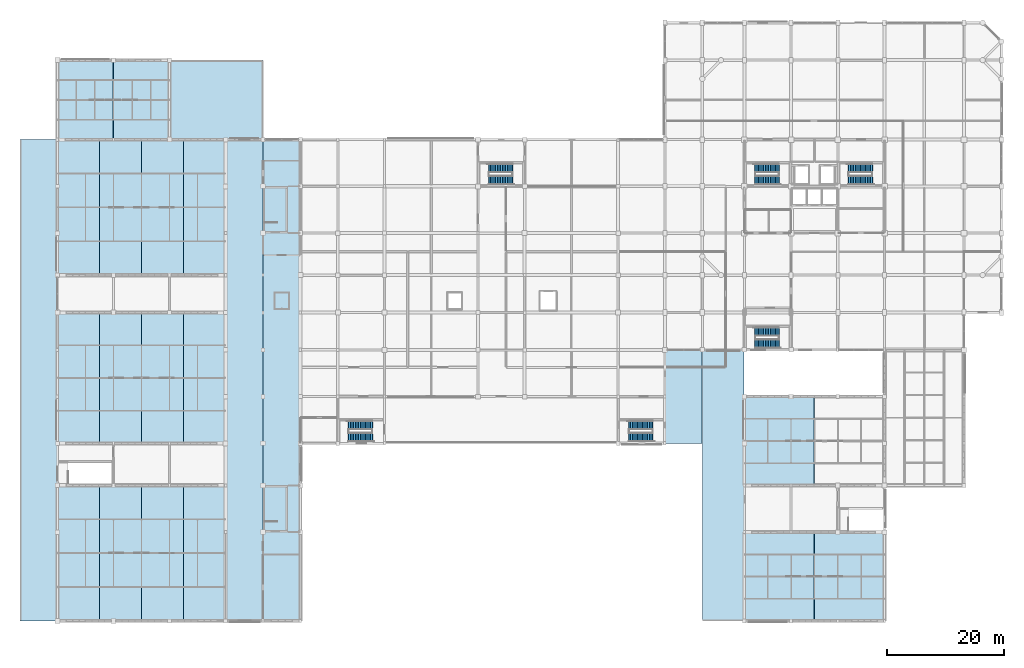
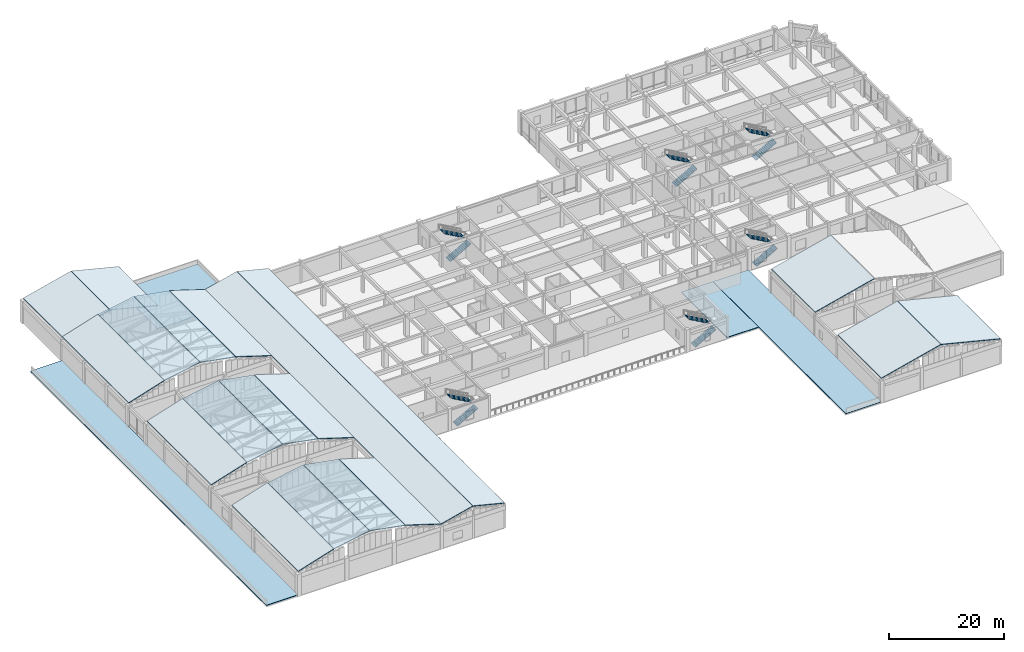
# One storey, part 56 of 61: 23 roofs, 12 stair flights, 6 elements without a shape of their own.
"""IFC4 building model written with IfcOpenShell, lengths in metres."""

from ifc_helpers import new_model, si_unit, direction, frame, origin, place, context, subcontext, project, spatial, polyline, outline, extrude, material, layer, layer_set, type_object, element, aggregate, save


model = new_model("IFC4")

# Units and contexts
model_context = context("Model", 3, precision=1e-05, world=origin(), true_north=direction((0.0, 1.0)))
body_context = subcontext(model_context, "Body", "Model", "MODEL_VIEW")
ifc_project = project(units=[si_unit("LENGTHUNIT", "METRE"), si_unit("AREAUNIT", "SQUARE_METRE"), si_unit("VOLUMEUNIT", "CUBIC_METRE"), si_unit("PLANEANGLEUNIT", "RADIAN"), si_unit("MASSUNIT", "GRAM", prefix="KILO")], contexts=[model_context])

# Site, building, storey
site_placement = place(None, origin())
site = spatial("IfcSite", under=ifc_project, at=site_placement, CompositionType="ELEMENT")
building_placement = place(site_placement, origin())
building = spatial("IfcBuilding", under=site, at=building_placement, Name="Vellmiral Cinema and Media Centre", CompositionType="ELEMENT")
storey_placement = place(building_placement, frame((0.0, 0.0, 10.800048828125)))
storey = spatial("IfcBuildingStorey", under=building, at=storey_placement, Name="L02", CompositionType="ELEMENT", Elevation=10.800048828125)

# Stair, stair flights
ifc_material_1 = material(Name="Concrete C40/50", Category="concrete")
stair_type = type_object("IfcStairType", Name="ST-2RET-480", PredefinedType="HALF_TURN_STAIR", material=ifc_material_1)
stair_1_placement = place(storey_placement, origin())
stair_1 = element("IfcStair", 1, at=stair_1_placement, inside=storey, type_object=stair_type, Name="Protected Escape Stair ST-P3 (L02)", PredefinedType="HALF_TURN_STAIR")
ifc_material_2 = material(Name="Concrete C40/50", Category="concrete")
stair_flight_type = type_object("IfcStairFlightType", Name="STF-STR-480", PredefinedType="STRAIGHT", material=ifc_material_2)
stair_flight_1_placement = place(storey_placement, frame((56.25, 44.25, 0.0), z_axis=(0.0, 0.0, 1.0), x_axis=(1.0, 0.0, 0.0)))
stair_flight_1 = element("IfcStairFlight", 2, at=stair_flight_1_placement, type_object=stair_flight_type, Name="ST-P3 flight 1", NumberOfRisers=15, NumberOfTreads=14, PredefinedType="STRAIGHT", RiserHeight=0.16, TreadLength=0.29, context=body_context, shape_type="SweptSolid", body=[
    extrude(outline(polyline([(-0.080078125, 0.0), (-0.080078125, 0.095947265625), (0.0, 0.159912109375), (0.2900390625, 0.159912109375), (0.2900390625, 0.320068359375), (0.580078125, 0.320068359375), (0.580078125, 0.47998046875), (0.8701171875, 0.47998046875), (0.8701171875, 0.639892578125), (1.159912109375, 0.639892578125), (1.159912109375, 0.800048828125), (1.449951171875, 0.800048828125), (1.449951171875, 0.9599609375), (1.739990234375, 0.9599609375), (1.739990234375, 1.1201171875), (2.030029296875, 1.1201171875), (2.030029296875, 1.280029296875), (2.320068359375, 1.280029296875), (2.320068359375, 1.43994140625), (2.610107421875, 1.43994140625), (2.610107421875, 1.60009765625), (2.89990234375, 1.60009765625), (2.89990234375, 1.760009765625), (3.18994140625, 1.760009765625), (3.18994140625, 1.919921875), (3.47998046875, 1.919921875), (3.47998046875, 2.080078125), (3.77001953125, 2.080078125), (3.77001953125, 2.239990234375), (4.06005859375, 2.239990234375), (4.06005859375, 2.39990234375), (4.14013671875, 2.39990234375), (4.14013671875, 2.239990234375), (0.179931640625, 0.0), (-0.080078125, 0.0)])), frame((0.0, 0.75, 0.0), z_axis=(0.0, -1.0, 0.0), x_axis=(1.0, 0.0, 0.0)), (0.0, 0.0, 1.0), 1.5),
])
stair_flight_2_placement = place(storey_placement, frame((60.31005859375, 46.35009765625, 2.39990234375), z_axis=(0.0, 0.0, 1.0), x_axis=(-1.0, 0.0, 0.0)))
stair_flight_2 = element("IfcStairFlight", 3, at=stair_flight_2_placement, type_object=stair_flight_type, Name="ST-P3 flight 2", NumberOfRisers=15, NumberOfTreads=14, PredefinedType="STRAIGHT", RiserHeight=0.16, TreadLength=0.29, context=body_context, shape_type="SweptSolid", body=[
    extrude(outline(polyline([(-0.080078125, 0.0), (-0.080078125, 0.095947265625), (0.0, 0.159912109375), (0.2900390625, 0.159912109375), (0.2900390625, 0.320068359375), (0.580078125, 0.320068359375), (0.580078125, 0.47998046875), (0.8701171875, 0.47998046875), (0.8701171875, 0.639892578125), (1.159912109375, 0.639892578125), (1.159912109375, 0.800048828125), (1.449951171875, 0.800048828125), (1.449951171875, 0.9599609375), (1.739990234375, 0.9599609375), (1.739990234375, 1.1201171875), (2.030029296875, 1.1201171875), (2.030029296875, 1.280029296875), (2.320068359375, 1.280029296875), (2.320068359375, 1.43994140625), (2.610107421875, 1.43994140625), (2.610107421875, 1.60009765625), (2.89990234375, 1.60009765625), (2.89990234375, 1.760009765625), (3.18994140625, 1.760009765625), (3.18994140625, 1.919921875), (3.47998046875, 1.919921875), (3.47998046875, 2.080078125), (3.77001953125, 2.080078125), (3.77001953125, 2.239990234375), (4.06005859375, 2.239990234375), (4.06005859375, 2.39990234375), (4.14013671875, 2.39990234375), (4.14013671875, 2.239990234375), (0.179931640625, 0.0), (-0.080078125, 0.0)])), frame((0.0, 0.75, 0.0), z_axis=(0.0, -1.0, 0.0), x_axis=(1.0, 0.0, 0.0)), (0.0, 0.0, 1.0), 1.5),
])
aggregate(stair_1, [stair_flight_1, stair_flight_2])

stair_2_placement = place(storey_placement, origin())
stair_2 = element("IfcStair", 4, at=stair_2_placement, inside=storey, type_object=stair_type, Name="Protected Escape Stair ST-P4 (L02)", PredefinedType="HALF_TURN_STAIR")
stair_flight_3_placement = place(storey_placement, frame((104.25, 44.25, 0.0), z_axis=(0.0, 0.0, 1.0), x_axis=(1.0, 0.0, 0.0)))
stair_flight_3 = element("IfcStairFlight", 5, at=stair_flight_3_placement, type_object=stair_flight_type, Name="ST-P4 flight 1", NumberOfRisers=15, NumberOfTreads=14, PredefinedType="STRAIGHT", RiserHeight=0.16, TreadLength=0.29, context=body_context, shape_type="SweptSolid", body=[
    extrude(outline(polyline([(-0.080078125, 0.0), (-0.080078125, 0.095947265625), (0.0, 0.159912109375), (0.2900390625, 0.159912109375), (0.2900390625, 0.320068359375), (0.580078125, 0.320068359375), (0.580078125, 0.47998046875), (0.8701171875, 0.47998046875), (0.8701171875, 0.639892578125), (1.159912109375, 0.639892578125), (1.159912109375, 0.800048828125), (1.449951171875, 0.800048828125), (1.449951171875, 0.9599609375), (1.739990234375, 0.9599609375), (1.739990234375, 1.1201171875), (2.030029296875, 1.1201171875), (2.030029296875, 1.280029296875), (2.320068359375, 1.280029296875), (2.320068359375, 1.43994140625), (2.610107421875, 1.43994140625), (2.610107421875, 1.60009765625), (2.89990234375, 1.60009765625), (2.89990234375, 1.760009765625), (3.18994140625, 1.760009765625), (3.18994140625, 1.919921875), (3.47998046875, 1.919921875), (3.47998046875, 2.080078125), (3.77001953125, 2.080078125), (3.77001953125, 2.239990234375), (4.06005859375, 2.239990234375), (4.06005859375, 2.39990234375), (4.14013671875, 2.39990234375), (4.14013671875, 2.239990234375), (0.179931640625, 0.0), (-0.080078125, 0.0)])), frame((0.0, 0.75, 0.0), z_axis=(0.0, -1.0, 0.0), x_axis=(1.0, 0.0, 0.0)), (0.0, 0.0, 1.0), 1.5),
])
stair_flight_4_placement = place(storey_placement, frame((108.31005859375, 46.35009765625, 2.39990234375), z_axis=(0.0, 0.0, 1.0), x_axis=(-1.0, 0.0, 0.0)))
stair_flight_4 = element("IfcStairFlight", 6, at=stair_flight_4_placement, type_object=stair_flight_type, Name="ST-P4 flight 2", NumberOfRisers=15, NumberOfTreads=14, PredefinedType="STRAIGHT", RiserHeight=0.16, TreadLength=0.29, context=body_context, shape_type="SweptSolid", body=[
    extrude(outline(polyline([(-0.080078125, 0.0), (-0.080078125, 0.095947265625), (0.0, 0.159912109375), (0.2900390625, 0.159912109375), (0.2900390625, 0.320068359375), (0.580078125, 0.320068359375), (0.580078125, 0.47998046875), (0.8701171875, 0.47998046875), (0.8701171875, 0.639892578125), (1.159912109375, 0.639892578125), (1.159912109375, 0.800048828125), (1.449951171875, 0.800048828125), (1.449951171875, 0.9599609375), (1.739990234375, 0.9599609375), (1.739990234375, 1.1201171875), (2.030029296875, 1.1201171875), (2.030029296875, 1.280029296875), (2.320068359375, 1.280029296875), (2.320068359375, 1.43994140625), (2.610107421875, 1.43994140625), (2.610107421875, 1.60009765625), (2.89990234375, 1.60009765625), (2.89990234375, 1.760009765625), (3.18994140625, 1.760009765625), (3.18994140625, 1.919921875), (3.47998046875, 1.919921875), (3.47998046875, 2.080078125), (3.77001953125, 2.080078125), (3.77001953125, 2.239990234375), (4.06005859375, 2.239990234375), (4.06005859375, 2.39990234375), (4.14013671875, 2.39990234375), (4.14013671875, 2.239990234375), (0.179931640625, 0.0), (-0.080078125, 0.0)])), frame((0.0, 0.75, 0.0), z_axis=(0.0, -1.0, 0.0), x_axis=(1.0, 0.0, 0.0)), (0.0, 0.0, 1.0), 1.5),
])
aggregate(stair_2, [stair_flight_3, stair_flight_4])

stair_3_placement = place(storey_placement, origin())
stair_3 = element("IfcStair", 7, at=stair_3_placement, inside=storey, type_object=stair_type, Name="Protected Escape Stair ST-P5 (L02)", PredefinedType="HALF_TURN_STAIR")
stair_flight_5_placement = place(storey_placement, frame((80.25, 88.25, 0.0), z_axis=(0.0, 0.0, 1.0), x_axis=(1.0, 0.0, 0.0)))
stair_flight_5 = element("IfcStairFlight", 8, at=stair_flight_5_placement, type_object=stair_flight_type, Name="ST-P5 flight 1", NumberOfRisers=15, NumberOfTreads=14, PredefinedType="STRAIGHT", RiserHeight=0.16, TreadLength=0.29, context=body_context, shape_type="SweptSolid", body=[
    extrude(outline(polyline([(-0.080078125, 0.0), (-0.080078125, 0.095947265625), (0.0, 0.159912109375), (0.2900390625, 0.159912109375), (0.2900390625, 0.320068359375), (0.580078125, 0.320068359375), (0.580078125, 0.47998046875), (0.8701171875, 0.47998046875), (0.8701171875, 0.639892578125), (1.159912109375, 0.639892578125), (1.159912109375, 0.800048828125), (1.449951171875, 0.800048828125), (1.449951171875, 0.9599609375), (1.739990234375, 0.9599609375), (1.739990234375, 1.1201171875), (2.030029296875, 1.1201171875), (2.030029296875, 1.280029296875), (2.320068359375, 1.280029296875), (2.320068359375, 1.43994140625), (2.610107421875, 1.43994140625), (2.610107421875, 1.60009765625), (2.89990234375, 1.60009765625), (2.89990234375, 1.760009765625), (3.18994140625, 1.760009765625), (3.18994140625, 1.919921875), (3.47998046875, 1.919921875), (3.47998046875, 2.080078125), (3.77001953125, 2.080078125), (3.77001953125, 2.239990234375), (4.06005859375, 2.239990234375), (4.06005859375, 2.39990234375), (4.14013671875, 2.39990234375), (4.14013671875, 2.239990234375), (0.179931640625, 0.0), (-0.080078125, 0.0)])), frame((0.0, 0.75, 0.0), z_axis=(0.0, -1.0, 0.0), x_axis=(1.0, 0.0, 0.0)), (0.0, 0.0, 1.0), 1.5),
])
stair_flight_6_placement = place(storey_placement, frame((84.31005859375, 90.35009765625, 2.39990234375), z_axis=(0.0, 0.0, 1.0), x_axis=(-1.0, 0.0, 0.0)))
stair_flight_6 = element("IfcStairFlight", 9, at=stair_flight_6_placement, type_object=stair_flight_type, Name="ST-P5 flight 2", NumberOfRisers=15, NumberOfTreads=14, PredefinedType="STRAIGHT", RiserHeight=0.16, TreadLength=0.29, context=body_context, shape_type="SweptSolid", body=[
    extrude(outline(polyline([(-0.080078125, 0.0), (-0.080078125, 0.095947265625), (0.0, 0.159912109375), (0.2900390625, 0.159912109375), (0.2900390625, 0.320068359375), (0.580078125, 0.320068359375), (0.580078125, 0.47998046875), (0.8701171875, 0.47998046875), (0.8701171875, 0.639892578125), (1.159912109375, 0.639892578125), (1.159912109375, 0.800048828125), (1.449951171875, 0.800048828125), (1.449951171875, 0.9599609375), (1.739990234375, 0.9599609375), (1.739990234375, 1.1201171875), (2.030029296875, 1.1201171875), (2.030029296875, 1.280029296875), (2.320068359375, 1.280029296875), (2.320068359375, 1.43994140625), (2.610107421875, 1.43994140625), (2.610107421875, 1.60009765625), (2.89990234375, 1.60009765625), (2.89990234375, 1.760009765625), (3.18994140625, 1.760009765625), (3.18994140625, 1.919921875), (3.47998046875, 1.919921875), (3.47998046875, 2.080078125), (3.77001953125, 2.080078125), (3.77001953125, 2.239990234375), (4.06005859375, 2.239990234375), (4.06005859375, 2.39990234375), (4.14013671875, 2.39990234375), (4.14013671875, 2.239990234375), (0.179931640625, 0.0), (-0.080078125, 0.0)])), frame((0.0, 0.75, 0.0), z_axis=(0.0, -1.0, 0.0), x_axis=(1.0, 0.0, 0.0)), (0.0, 0.0, 1.0), 1.5),
])
aggregate(stair_3, [stair_flight_5, stair_flight_6])

stair_4_placement = place(storey_placement, origin())
stair_4 = element("IfcStair", 10, at=stair_4_placement, inside=storey, type_object=stair_type, Name="Protected Escape Stair ST-P6 (L02)", PredefinedType="HALF_TURN_STAIR")
stair_flight_7_placement = place(storey_placement, frame((125.85009765625, 60.25, 0.0), z_axis=(0.0, 0.0, 1.0), x_axis=(1.0, 0.0, 0.0)))
stair_flight_7 = element("IfcStairFlight", 11, at=stair_flight_7_placement, type_object=stair_flight_type, Name="ST-P6 flight 1", NumberOfRisers=15, NumberOfTreads=14, PredefinedType="STRAIGHT", RiserHeight=0.16, TreadLength=0.29, context=body_context, shape_type="SweptSolid", body=[
    extrude(outline(polyline([(-0.080078125, 0.0), (-0.080078125, 0.095947265625), (0.0, 0.159912109375), (0.2900390625, 0.159912109375), (0.2900390625, 0.320068359375), (0.580078125, 0.320068359375), (0.580078125, 0.47998046875), (0.8701171875, 0.47998046875), (0.8701171875, 0.639892578125), (1.159912109375, 0.639892578125), (1.159912109375, 0.800048828125), (1.449951171875, 0.800048828125), (1.449951171875, 0.9599609375), (1.739990234375, 0.9599609375), (1.739990234375, 1.1201171875), (2.030029296875, 1.1201171875), (2.030029296875, 1.280029296875), (2.320068359375, 1.280029296875), (2.320068359375, 1.43994140625), (2.610107421875, 1.43994140625), (2.610107421875, 1.60009765625), (2.89990234375, 1.60009765625), (2.89990234375, 1.760009765625), (3.18994140625, 1.760009765625), (3.18994140625, 1.919921875), (3.47998046875, 1.919921875), (3.47998046875, 2.080078125), (3.77001953125, 2.080078125), (3.77001953125, 2.239990234375), (4.06005859375, 2.239990234375), (4.06005859375, 2.39990234375), (4.14013671875, 2.39990234375), (4.14013671875, 2.239990234375), (0.179931640625, 0.0), (-0.080078125, 0.0)])), frame((0.0, 0.75, 0.0), z_axis=(0.0, -1.0, 0.0), x_axis=(1.0, 0.0, 0.0)), (0.0, 0.0, 1.0), 1.5),
])
stair_flight_8_placement = place(storey_placement, frame((129.909912109375, 62.35009765625, 2.39990234375), z_axis=(0.0, 0.0, 1.0), x_axis=(-1.0, 0.0, 0.0)))
stair_flight_8 = element("IfcStairFlight", 12, at=stair_flight_8_placement, type_object=stair_flight_type, Name="ST-P6 flight 2", NumberOfRisers=15, NumberOfTreads=14, PredefinedType="STRAIGHT", RiserHeight=0.16, TreadLength=0.29, context=body_context, shape_type="SweptSolid", body=[
    extrude(outline(polyline([(-0.080078125, 0.0), (-0.080078125, 0.095947265625), (0.0, 0.159912109375), (0.2900390625, 0.159912109375), (0.2900390625, 0.320068359375), (0.580078125, 0.320068359375), (0.580078125, 0.47998046875), (0.8701171875, 0.47998046875), (0.8701171875, 0.639892578125), (1.159912109375, 0.639892578125), (1.159912109375, 0.800048828125), (1.449951171875, 0.800048828125), (1.449951171875, 0.9599609375), (1.739990234375, 0.9599609375), (1.739990234375, 1.1201171875), (2.030029296875, 1.1201171875), (2.030029296875, 1.280029296875), (2.320068359375, 1.280029296875), (2.320068359375, 1.43994140625), (2.610107421875, 1.43994140625), (2.610107421875, 1.60009765625), (2.89990234375, 1.60009765625), (2.89990234375, 1.760009765625), (3.18994140625, 1.760009765625), (3.18994140625, 1.919921875), (3.47998046875, 1.919921875), (3.47998046875, 2.080078125), (3.77001953125, 2.080078125), (3.77001953125, 2.239990234375), (4.06005859375, 2.239990234375), (4.06005859375, 2.39990234375), (4.14013671875, 2.39990234375), (4.14013671875, 2.239990234375), (0.179931640625, 0.0), (-0.080078125, 0.0)])), frame((0.0, 0.75, 0.0), z_axis=(0.0, -1.0, 0.0), x_axis=(1.0, 0.0, 0.0)), (0.0, 0.0, 1.0), 1.5),
])
aggregate(stair_4, [stair_flight_7, stair_flight_8])

stair_5_placement = place(storey_placement, origin())
stair_5 = element("IfcStair", 13, at=stair_5_placement, inside=storey, type_object=stair_type, Name="Protected Escape Stair ST-T1 (L02)", PredefinedType="HALF_TURN_STAIR")
stair_flight_9_placement = place(storey_placement, frame((125.85009765625, 88.25, 0.0), z_axis=(0.0, 0.0, 1.0), x_axis=(1.0, 0.0, 0.0)))
stair_flight_9 = element("IfcStairFlight", 14, at=stair_flight_9_placement, type_object=stair_flight_type, Name="ST-T1 flight 1", NumberOfRisers=15, NumberOfTreads=14, PredefinedType="STRAIGHT", RiserHeight=0.16, TreadLength=0.29, context=body_context, shape_type="SweptSolid", body=[
    extrude(outline(polyline([(-0.080078125, 0.0), (-0.080078125, 0.095947265625), (0.0, 0.159912109375), (0.2900390625, 0.159912109375), (0.2900390625, 0.320068359375), (0.580078125, 0.320068359375), (0.580078125, 0.47998046875), (0.8701171875, 0.47998046875), (0.8701171875, 0.639892578125), (1.159912109375, 0.639892578125), (1.159912109375, 0.800048828125), (1.449951171875, 0.800048828125), (1.449951171875, 0.9599609375), (1.739990234375, 0.9599609375), (1.739990234375, 1.1201171875), (2.030029296875, 1.1201171875), (2.030029296875, 1.280029296875), (2.320068359375, 1.280029296875), (2.320068359375, 1.43994140625), (2.610107421875, 1.43994140625), (2.610107421875, 1.60009765625), (2.89990234375, 1.60009765625), (2.89990234375, 1.760009765625), (3.18994140625, 1.760009765625), (3.18994140625, 1.919921875), (3.47998046875, 1.919921875), (3.47998046875, 2.080078125), (3.77001953125, 2.080078125), (3.77001953125, 2.239990234375), (4.06005859375, 2.239990234375), (4.06005859375, 2.39990234375), (4.14013671875, 2.39990234375), (4.14013671875, 2.239990234375), (0.179931640625, 0.0), (-0.080078125, 0.0)])), frame((0.0, 0.75, 0.0), z_axis=(0.0, -1.0, 0.0), x_axis=(1.0, 0.0, 0.0)), (0.0, 0.0, 1.0), 1.5),
])
stair_flight_10_placement = place(storey_placement, frame((129.909912109375, 90.35009765625, 2.39990234375), z_axis=(0.0, 0.0, 1.0), x_axis=(-1.0, 0.0, 0.0)))
stair_flight_10 = element("IfcStairFlight", 15, at=stair_flight_10_placement, type_object=stair_flight_type, Name="ST-T1 flight 2", NumberOfRisers=15, NumberOfTreads=14, PredefinedType="STRAIGHT", RiserHeight=0.16, TreadLength=0.29, context=body_context, shape_type="SweptSolid", body=[
    extrude(outline(polyline([(-0.080078125, 0.0), (-0.080078125, 0.095947265625), (0.0, 0.159912109375), (0.2900390625, 0.159912109375), (0.2900390625, 0.320068359375), (0.580078125, 0.320068359375), (0.580078125, 0.47998046875), (0.8701171875, 0.47998046875), (0.8701171875, 0.639892578125), (1.159912109375, 0.639892578125), (1.159912109375, 0.800048828125), (1.449951171875, 0.800048828125), (1.449951171875, 0.9599609375), (1.739990234375, 0.9599609375), (1.739990234375, 1.1201171875), (2.030029296875, 1.1201171875), (2.030029296875, 1.280029296875), (2.320068359375, 1.280029296875), (2.320068359375, 1.43994140625), (2.610107421875, 1.43994140625), (2.610107421875, 1.60009765625), (2.89990234375, 1.60009765625), (2.89990234375, 1.760009765625), (3.18994140625, 1.760009765625), (3.18994140625, 1.919921875), (3.47998046875, 1.919921875), (3.47998046875, 2.080078125), (3.77001953125, 2.080078125), (3.77001953125, 2.239990234375), (4.06005859375, 2.239990234375), (4.06005859375, 2.39990234375), (4.14013671875, 2.39990234375), (4.14013671875, 2.239990234375), (0.179931640625, 0.0), (-0.080078125, 0.0)])), frame((0.0, 0.75, 0.0), z_axis=(0.0, -1.0, 0.0), x_axis=(1.0, 0.0, 0.0)), (0.0, 0.0, 1.0), 1.5),
])
aggregate(stair_5, [stair_flight_9, stair_flight_10])

stair_6_placement = place(storey_placement, origin())
stair_6 = element("IfcStair", 16, at=stair_6_placement, inside=storey, type_object=stair_type, Name="Protected Escape Stair ST-T2 (L02)", PredefinedType="HALF_TURN_STAIR")
stair_flight_11_placement = place(storey_placement, frame((141.85009765625, 88.25, 0.0), z_axis=(0.0, 0.0, 1.0), x_axis=(1.0, 0.0, 0.0)))
stair_flight_11 = element("IfcStairFlight", 17, at=stair_flight_11_placement, type_object=stair_flight_type, Name="ST-T2 flight 1", NumberOfRisers=15, NumberOfTreads=14, PredefinedType="STRAIGHT", RiserHeight=0.16, TreadLength=0.29, context=body_context, shape_type="SweptSolid", body=[
    extrude(outline(polyline([(-0.080078125, 0.0), (-0.080078125, 0.095947265625), (0.0, 0.159912109375), (0.2900390625, 0.159912109375), (0.2900390625, 0.320068359375), (0.580078125, 0.320068359375), (0.580078125, 0.47998046875), (0.8701171875, 0.47998046875), (0.8701171875, 0.639892578125), (1.159912109375, 0.639892578125), (1.159912109375, 0.800048828125), (1.449951171875, 0.800048828125), (1.449951171875, 0.9599609375), (1.739990234375, 0.9599609375), (1.739990234375, 1.1201171875), (2.030029296875, 1.1201171875), (2.030029296875, 1.280029296875), (2.320068359375, 1.280029296875), (2.320068359375, 1.43994140625), (2.610107421875, 1.43994140625), (2.610107421875, 1.60009765625), (2.89990234375, 1.60009765625), (2.89990234375, 1.760009765625), (3.18994140625, 1.760009765625), (3.18994140625, 1.919921875), (3.47998046875, 1.919921875), (3.47998046875, 2.080078125), (3.77001953125, 2.080078125), (3.77001953125, 2.239990234375), (4.06005859375, 2.239990234375), (4.06005859375, 2.39990234375), (4.14013671875, 2.39990234375), (4.14013671875, 2.239990234375), (0.179931640625, 0.0), (-0.080078125, 0.0)])), frame((0.0, 0.75, 0.0), z_axis=(0.0, -1.0, 0.0), x_axis=(1.0, 0.0, 0.0)), (0.0, 0.0, 1.0), 1.5),
])
stair_flight_12_placement = place(storey_placement, frame((145.909912109375, 90.35009765625, 2.39990234375), z_axis=(0.0, 0.0, 1.0), x_axis=(-1.0, 0.0, 0.0)))
stair_flight_12 = element("IfcStairFlight", 18, at=stair_flight_12_placement, type_object=stair_flight_type, Name="ST-T2 flight 2", NumberOfRisers=15, NumberOfTreads=14, PredefinedType="STRAIGHT", RiserHeight=0.16, TreadLength=0.29, context=body_context, shape_type="SweptSolid", body=[
    extrude(outline(polyline([(-0.080078125, 0.0), (-0.080078125, 0.095947265625), (0.0, 0.159912109375), (0.2900390625, 0.159912109375), (0.2900390625, 0.320068359375), (0.580078125, 0.320068359375), (0.580078125, 0.47998046875), (0.8701171875, 0.47998046875), (0.8701171875, 0.639892578125), (1.159912109375, 0.639892578125), (1.159912109375, 0.800048828125), (1.449951171875, 0.800048828125), (1.449951171875, 0.9599609375), (1.739990234375, 0.9599609375), (1.739990234375, 1.1201171875), (2.030029296875, 1.1201171875), (2.030029296875, 1.280029296875), (2.320068359375, 1.280029296875), (2.320068359375, 1.43994140625), (2.610107421875, 1.43994140625), (2.610107421875, 1.60009765625), (2.89990234375, 1.60009765625), (2.89990234375, 1.760009765625), (3.18994140625, 1.760009765625), (3.18994140625, 1.919921875), (3.47998046875, 1.919921875), (3.47998046875, 2.080078125), (3.77001953125, 2.080078125), (3.77001953125, 2.239990234375), (4.06005859375, 2.239990234375), (4.06005859375, 2.39990234375), (4.14013671875, 2.39990234375), (4.14013671875, 2.239990234375), (0.179931640625, 0.0), (-0.080078125, 0.0)])), frame((0.0, 0.75, 0.0), z_axis=(0.0, -1.0, 0.0), x_axis=(1.0, 0.0, 0.0)), (0.0, 0.0, 1.0), 1.5),
])
aggregate(stair_6, [stair_flight_11, stair_flight_12])

# Roofs
ifc_material_3 = material(Name="Catalan Glazed Ceramic Vault Tile")
ifc_layer_1 = layer(ifc_material_3, 0.139892578125, Name="Catalan Glazed Ceramic Vault Tile")
ifc_layer_set_1 = layer_set([ifc_layer_1], Name="Catalan Glazed Ceramic Vault Tile")
roof_type_1 = type_object("IfcRoofType", Name="ROOF-BARREL-VAULT", PredefinedType="BARREL_ROOF", material=ifc_layer_set_1)
roof_1_placement = place(storey_placement, frame((6.39990234375, 12.800048828125, 5.177490234375), z_axis=(-0.300691388993, 0.0, 0.953721494245), x_axis=(0.953721494245, 0.0, 0.300691388993)))
element("IfcRoof", 19, at=roof_1_placement, inside=storey, type_object=roof_type_1, Name="Cinema Screen 1 Catalan Ceramic Vault A1", PredefinedType="BARREL_ROOF", context=body_context, shape_type="SweptSolid", body=[
    extrude(outline(polyline([(0.0, 0.0), (7.5160441846787185, 0.0), (7.5160441846787185, 23.199951171875), (0.0, 23.199951171875), (0.0, 0.0)])), origin(), (0.0, 0.0, -1.0), 0.139892578125),
])
roof_2_placement = place(storey_placement, frame((13.632080078125, 12.800048828125, 7.436279296875), z_axis=(-0.182240039857, 0.0, 0.983254070865), x_axis=(0.983254070865, 0.0, 0.182240039857)))
element("IfcRoof", 20, at=roof_2_placement, inside=storey, type_object=roof_type_1, Name="Cinema Screen 1 Catalan Ceramic Vault A2", PredefinedType="BARREL_ROOF", context=body_context, shape_type="SweptSolid", body=[
    extrude(outline(polyline([(0.0, 0.0), (7.247588303249432, 0.0), (7.247588303249432, 23.199951171875004), (0.0, 23.199951171875004), (0.0, 0.0)])), origin(), (0.0, 0.0, -1.0), 0.139892578125),
])
roof_3_placement = place(storey_placement, frame((20.841552734375, 12.800048828125, 8.757080078125), z_axis=(0.182234003958, 0.0, 0.983255189562), x_axis=(0.983255189562, 0.0, -0.182234003958)))
element("IfcRoof", 21, at=roof_3_placement, inside=storey, type_object=roof_type_1, Name="Cinema Screen 1 Catalan Ceramic Vault B2", PredefinedType="BARREL_ROOF", context=body_context, shape_type="SweptSolid", body=[
    extrude(outline(polyline([(0.0, 0.0), (7.247828355649389, 0.0), (7.247828355649389, 23.199951171875), (0.0, 23.199951171875), (0.0, 0.0)])), origin(), (0.0, 0.0, -1.0), 0.139892578125),
])
roof_4_placement = place(storey_placement, frame((28.031982421875, 12.800048828125, 7.4375), z_axis=(0.300700704491, 0.0, 0.953718557185), x_axis=(0.953718557185, 0.0, -0.300700704491)))
element("IfcRoof", 22, at=roof_4_placement, inside=storey, type_object=roof_type_1, Name="Cinema Screen 1 Catalan Ceramic Vault B1", PredefinedType="BARREL_ROOF", context=body_context, shape_type="SweptSolid", body=[
    extrude(outline(polyline([(0.0, 0.0), (7.51581134287556, 0.0), (7.51581134287556, 23.199951171875), (0.0, 23.199951171875), (0.0, 0.0)])), origin(), (0.0, 0.0, -1.0), 0.139892578125),
])
roof_5_placement = place(storey_placement, frame((6.39990234375, 43.199951171875, 5.177490234375), z_axis=(-0.300691388993, 0.0, 0.953721494245), x_axis=(0.953721494245, 0.0, 0.300691388993)))
element("IfcRoof", 23, at=roof_5_placement, inside=storey, type_object=roof_type_1, Name="Cinema Screen 2 Catalan Ceramic Vault A1", PredefinedType="BARREL_ROOF", context=body_context, shape_type="SweptSolid", body=[
    extrude(outline(polyline([(0.0, 0.0), (7.5160441846787185, 0.0), (7.5160441846787185, 22.400146484375), (0.0, 22.400146484375), (0.0, 0.0)])), origin(), (0.0, 0.0, -1.0), 0.139892578125),
])
roof_6_placement = place(storey_placement, frame((13.632080078125, 43.199951171875, 7.436279296875), z_axis=(-0.182240039857, 0.0, 0.983254070865), x_axis=(0.983254070865, 0.0, 0.182240039857)))
element("IfcRoof", 24, at=roof_6_placement, inside=storey, type_object=roof_type_1, Name="Cinema Screen 2 Catalan Ceramic Vault A2", PredefinedType="BARREL_ROOF", context=body_context, shape_type="SweptSolid", body=[
    extrude(outline(polyline([(0.0, 0.0), (7.247588303249432, 0.0), (7.247588303249432, 22.400146484375), (0.0, 22.400146484375), (0.0, 0.0)])), origin(), (0.0, 0.0, -1.0), 0.139892578125),
])
roof_7_placement = place(storey_placement, frame((20.841552734375, 43.199951171875, 8.757080078125), z_axis=(0.182234003958, 0.0, 0.983255189562), x_axis=(0.983255189562, 0.0, -0.182234003958)))
element("IfcRoof", 25, at=roof_7_placement, inside=storey, type_object=roof_type_1, Name="Cinema Screen 2 Catalan Ceramic Vault B2", PredefinedType="BARREL_ROOF", context=body_context, shape_type="SweptSolid", body=[
    extrude(outline(polyline([(0.0, 0.0), (7.247828355649389, 0.0), (7.247828355649389, 22.400146484375), (0.0, 22.400146484375), (0.0, 0.0)])), origin(), (0.0, 0.0, -1.0), 0.139892578125),
])
roof_8_placement = place(storey_placement, frame((28.031982421875, 43.199951171875, 7.4375), z_axis=(0.300700704491, 0.0, 0.953718557185), x_axis=(0.953718557185, 0.0, -0.300700704491)))
element("IfcRoof", 26, at=roof_8_placement, inside=storey, type_object=roof_type_1, Name="Cinema Screen 2 Catalan Ceramic Vault B1", PredefinedType="BARREL_ROOF", context=body_context, shape_type="SweptSolid", body=[
    extrude(outline(polyline([(0.0, 0.0), (7.51581134287556, 0.0), (7.51581134287556, 22.400146484375), (0.0, 22.400146484375), (0.0, 0.0)])), origin(), (0.0, 0.0, -1.0), 0.139892578125),
])
roof_9_placement = place(storey_placement, frame((6.39990234375, 72.0, 5.177490234375), z_axis=(-0.300691388993, 0.0, 0.953721494245), x_axis=(0.953721494245, 0.0, 0.300691388993)))
element("IfcRoof", 27, at=roof_9_placement, inside=storey, type_object=roof_type_1, Name="Cinema Screen 3 Catalan Ceramic Vault A1", PredefinedType="BARREL_ROOF", context=body_context, shape_type="SweptSolid", body=[
    extrude(outline(polyline([(0.0, 0.0), (7.5160441846787185, 0.0), (7.5160441846787185, 23.199951171875), (0.0, 23.199951171875), (0.0, 0.0)])), origin(), (0.0, 0.0, -1.0), 0.139892578125),
])
roof_10_placement = place(storey_placement, frame((13.632080078125, 72.0, 7.436279296875), z_axis=(-0.182240039857, 0.0, 0.983254070865), x_axis=(0.983254070865, 0.0, 0.182240039857)))
element("IfcRoof", 28, at=roof_10_placement, inside=storey, type_object=roof_type_1, Name="Cinema Screen 3 Catalan Ceramic Vault A2", PredefinedType="BARREL_ROOF", context=body_context, shape_type="SweptSolid", body=[
    extrude(outline(polyline([(0.0, 0.0), (7.247588303249432, 0.0), (7.247588303249432, 23.199951171875004), (0.0, 23.199951171875004), (0.0, 0.0)])), origin(), (0.0, 0.0, -1.0), 0.139892578125),
])
roof_11_placement = place(storey_placement, frame((20.841552734375, 72.0, 8.757080078125), z_axis=(0.182234003958, 0.0, 0.983255189562), x_axis=(0.983255189562, 0.0, -0.182234003958)))
element("IfcRoof", 29, at=roof_11_placement, inside=storey, type_object=roof_type_1, Name="Cinema Screen 3 Catalan Ceramic Vault B2", PredefinedType="BARREL_ROOF", context=body_context, shape_type="SweptSolid", body=[
    extrude(outline(polyline([(0.0, 0.0), (7.247828355649389, 0.0), (7.247828355649389, 23.199951171875), (0.0, 23.199951171875), (0.0, 0.0)])), origin(), (0.0, 0.0, -1.0), 0.139892578125),
])
roof_12_placement = place(storey_placement, frame((28.031982421875, 72.0, 7.4375), z_axis=(0.300700704491, 0.0, 0.953718557185), x_axis=(0.953718557185, 0.0, -0.300700704491)))
element("IfcRoof", 30, at=roof_12_placement, inside=storey, type_object=roof_type_1, Name="Cinema Screen 3 Catalan Ceramic Vault B1", PredefinedType="BARREL_ROOF", context=body_context, shape_type="SweptSolid", body=[
    extrude(outline(polyline([(0.0, 0.0), (7.51581134287556, 0.0), (7.51581134287556, 23.199951171875), (0.0, 23.199951171875), (0.0, 0.0)])), origin(), (0.0, 0.0, -1.0), 0.139892578125),
])
for number, where, z_axis, x_axis, name in (
    (31, (6.39990234375, 95.199951171875, 5.1708984375), (-0.241929129369, 0.0, 0.970293922666), (0.970293922666, 0.0, 0.241929129369), "Cinema Screen 4 Catalan Ceramic Vault A"),
    (32, (16.04150390625, 95.199951171875, 7.55419921875), (0.241929129369, 0.0, 0.970293922666), (0.970293922666, 0.0, -0.241929129369), "Cinema Screen 4 Catalan Ceramic Vault B"),
):
    element("IfcRoof", number, at=place(storey_placement, frame(where, z_axis=z_axis, x_axis=x_axis)), inside=storey, type_object=roof_type_1, Name=name, PredefinedType="BARREL_ROOF", context=body_context, shape_type="SweptSolid", body=[
        extrude(outline(polyline([(0.0, 0.0), (9.85123530789139, 0.0), (9.85123530789139, 13.60009765625), (0.0, 13.60009765625), (0.0, 0.0)])), origin(), (0.0, 0.0, -1.0), 0.139892578125),
    ])
for number, where, z_axis, x_axis, name in (
    (33, (124.0, 12.800048828125, 5.1708984375), (-0.241929649535, 0.0, 0.97029379297), (0.97029379297, 0.0, 0.241929649535), "Cinema Screen 5 Catalan Ceramic Vault A"),
    (34, (136.04150390625, 12.800048828125, 8.152587890625), (0.241929649535, 0.0, 0.97029379297), (0.97029379297, 0.0, -0.241929649535), "Cinema Screen 5 Catalan Ceramic Vault B"),
    (35, (124.0, 36.0, 5.1708984375), (-0.241929649535, 0.0, 0.97029379297), (0.97029379297, 0.0, 0.241929649535), "Cinema Screen 6 Catalan Ceramic Vault A"),
):
    element("IfcRoof", number, at=place(storey_placement, frame(where, z_axis=z_axis, x_axis=x_axis)), inside=storey, type_object=roof_type_1, Name=name, PredefinedType="BARREL_ROOF", context=body_context, shape_type="SweptSolid", body=[
        extrude(outline(polyline([(0.0, 0.0), (12.324613617436892, 0.0), (12.324613617436892, 15.199951171875), (0.0, 15.199951171875), (0.0, 0.0)])), origin(), (0.0, 0.0, -1.0), 0.139892578125),
    ])
for number, where, z_axis, x_axis, name in (
    (36, (35.199951171875, 12.800048828125, 5.1708984375), (-0.241939485664, 0.0, 0.970291340411), (0.970291340411, 0.0, 0.241939485664), "West Premiere Concourse Gallery Vault Catalan Ceramic Vault A"),
    (37, (41.6416015625, 12.800048828125, 6.75634765625), (0.241939485664, 0.0, 0.970291340411), (0.970291340411, 0.0, -0.241939485664), "West Premiere Concourse Gallery Vault Catalan Ceramic Vault B"),
):
    element("IfcRoof", number, at=place(storey_placement, frame(where, z_axis=z_axis, x_axis=x_axis)), inside=storey, type_object=roof_type_1, Name=name, PredefinedType="BARREL_ROOF", context=body_context, shape_type="SweptSolid", body=[
        extrude(outline(polyline([(0.0, 0.0), (6.553081711320059, 0.0), (6.553081711320059, 82.39990234375001), (0.0, 82.39990234375001), (0.0, 0.0)])), origin(), (0.0, 0.0, -1.0), 0.139892578125),
    ])
ifc_material_4 = material(Name="Insulated Waterproof Roof Build-up")
ifc_layer_2 = layer(ifc_material_4, 0.139892578125, Name="Insulated Waterproof Roof Build-up")
ifc_layer_set_2 = layer_set([ifc_layer_2], Name="Insulated Waterproof Roof Build-up")
roof_type_2 = type_object("IfcRoofType", Name="ROOF-FLAT-MEMBRANE", PredefinedType="FLAT_ROOF", material=ifc_layer_set_2)
roof_13_placement = place(storey_placement, origin())
element("IfcRoof", 38, at=roof_13_placement, inside=storey, type_object=roof_type_2, Name="Setback Flat Waterproof Roof WING2-W1", PredefinedType="FLAT_ROOF", context=body_context, shape_type="SweptSolid", body=[
    extrude(outline(polyline([(0.0, 12.800048828125), (6.3798828125, 12.800048828125), (6.3798828125, 95.199951171875), (0.0, 95.199951171875), (0.0, 12.800048828125)])), origin(), (0.0, 0.0, 1.0), 0.139892578125),
])
roof_14_placement = place(storey_placement, origin())
element("IfcRoof", 39, at=roof_14_placement, inside=storey, type_object=roof_type_2, Name="Setback Flat Waterproof Roof WING2-NW", PredefinedType="FLAT_ROOF", context=body_context, shape_type="SweptSolid", body=[
    extrude(outline(polyline([(25.6201171875, 95.219970703125), (41.60009765625, 95.219970703125), (41.60009765625, 108.800048828125), (25.6201171875, 108.800048828125), (25.6201171875, 95.219970703125)])), origin(), (0.0, 0.0, 1.0), 0.139892578125),
])
roof_15_placement = place(storey_placement, origin())
element("IfcRoof", 40, at=roof_15_placement, inside=storey, type_object=roof_type_2, Name="Setback Flat Waterproof Roof WING2-E1", PredefinedType="FLAT_ROOF", context=body_context, shape_type="SweptSolid", body=[
    extrude(outline(polyline([(116.800048828125, 12.800048828125), (123.97998046875, 12.800048828125), (123.97998046875, 59.179931640625), (116.800048828125, 59.179931640625), (116.800048828125, 12.800048828125)])), origin(), (0.0, 0.0, 1.0), 0.139892578125),
])
roof_16_placement = place(storey_placement, origin())
element("IfcRoof", 41, at=roof_16_placement, inside=storey, type_object=roof_type_2, Name="Setback Flat Waterproof Roof WING2-E2", PredefinedType="FLAT_ROOF", context=body_context, shape_type="SweptSolid", body=[
    extrude(outline(polyline([(110.419921875, 43.199951171875), (116.780029296875, 43.199951171875), (116.780029296875, 59.179931640625), (110.419921875, 59.179931640625), (110.419921875, 43.199951171875)])), origin(), (0.0, 0.0, 1.0), 0.139892578125),
])

save(model, "model.ifc")
